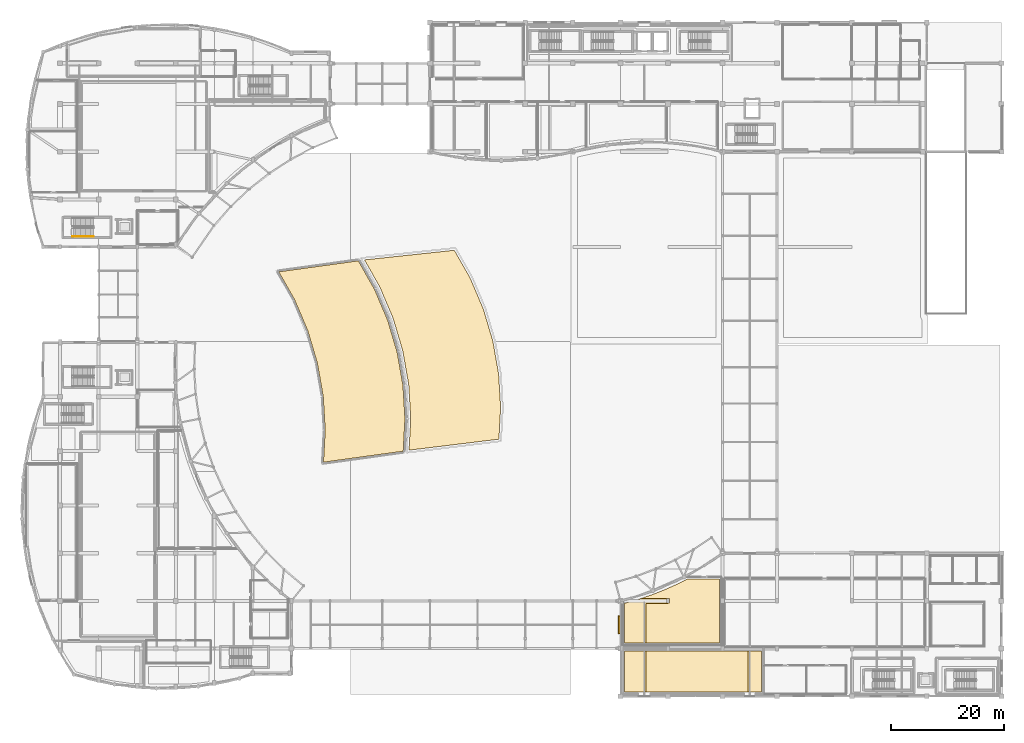
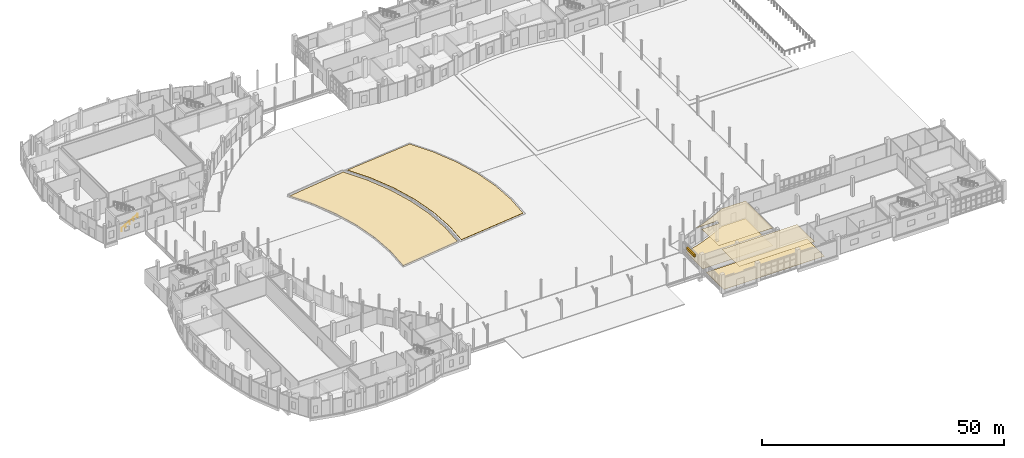
# One storey, part 84 of 97: 6 coverings, 1 railing, 1 shading device.
"""IFC4 building model written with IfcOpenShell, lengths in metres."""

from ifc_helpers import new_model, si_unit, direction, frame, origin, origin_2d, place, context, subcontext, project, spatial, polyline, rectangle, circle, outline, extrude, material, layer, layer_set, type_object, element, save


model = new_model("IFC4")

# Units and contexts
model_context = context("Model", 3, precision=1e-05, world=origin(), true_north=direction((0.0, 1.0)))
body_context = subcontext(model_context, "Body", "Model", "MODEL_VIEW")
ifc_project = project(units=[si_unit("LENGTHUNIT", "METRE"), si_unit("AREAUNIT", "SQUARE_METRE"), si_unit("VOLUMEUNIT", "CUBIC_METRE"), si_unit("PLANEANGLEUNIT", "RADIAN"), si_unit("MASSUNIT", "GRAM", prefix="KILO")], contexts=[model_context])

# Site, building, storey
site_placement = place(None, origin())
site = spatial("IfcSite", under=ifc_project, at=site_placement, CompositionType="ELEMENT")
building_placement = place(site_placement, origin())
building = spatial("IfcBuilding", under=site, at=building_placement, Name="Kisaragi Civic Commons", CompositionType="ELEMENT")
storey_placement = place(building_placement, origin())
storey = spatial("IfcBuildingStorey", under=building, at=storey_placement, Name="L00", CompositionType="ELEMENT", Elevation=0.0)

# Coverings
ifc_material_1 = material(Name="Perforated mineral-fibre & hinoki slat acoustic ceiling")
ifc_layer_1 = layer(ifc_material_1, 0.02490234375, Name="Perforated mineral-fibre & hinoki slat acoustic ceiling")
ifc_layer_set_1 = layer_set([ifc_layer_1], Name="Perforated mineral-fibre & hinoki slat acoustic ceiling")
covering_type_1 = type_object("IfcCoveringType", Name="CLG-02", PredefinedType="CEILING", material=ifc_layer_set_1)
covering_1_placement = place(storey_placement, frame((0.0, 0.0, 4.48291015625)))
element("IfcCovering", 1, at=covering_1_placement, inside=storey, type_object=covering_type_1, Name="Garden Tea Room acoustic ceiling", PredefinedType="CEILING", context=body_context, shape_type="SweptSolid", body=[
    extrude(outline(polyline([(109.6162109375, 17.353271484375), (109.31689453125, 17.260009765625), (114.0, 17.260009765625), (114.0, 17.205078125), (114.280029296875, 17.205078125), (114.280029296875, 16.39501953125), (114.0, 16.39501953125), (114.0, 16.340087890625), (110.110107421875, 16.340087890625), (110.110107421875, 9.35009765625), (123.050048828125, 9.35009765625), (123.050048828125, 20.64990234375), (117.37060546875, 20.64990234375), (117.076171875, 20.4912109375), (117.06201171875, 20.48388671875), (115.261474609375, 19.601318359375), (115.2470703125, 19.594482421875), (113.4140625, 18.78173828125), (113.3994140625, 18.775390625), (111.536376953125, 18.03369140625), (111.521484375, 18.028076171875), (109.63134765625, 17.3583984375), (109.6162109375, 17.353271484375)])), origin(), (0.0, 0.0, 1.0), 0.025146484375),
])
covering_2_placement = place(storey_placement, frame((0.0, 0.0, 4.48291015625)))
element("IfcCovering", 2, at=covering_2_placement, inside=storey, type_object=covering_type_1, Name="Commercial Kitchen acoustic ceiling", PredefinedType="CEILING", context=body_context, shape_type="SweptSolid", body=[
    extrude(outline(polyline([(110.110107421875, 0.75), (128.090087890625, 0.75), (128.090087890625, 7.93994140625), (123.60009765625, 7.93994140625), (123.60009765625, 7.949951171875), (114.0, 7.949951171875), (114.0, 7.93994140625), (110.110107421875, 7.93994140625), (110.110107421875, 0.75)])), origin(), (0.0, 0.0, 1.0), 0.025146484375),
])
ifc_material_2 = material(Name="Honed Mino ceramic tile & resilience acoustic flooring")
ifc_layer_2 = layer(ifc_material_2, 0.02001953125, Name="Honed Mino ceramic tile & resilience acoustic flooring")
ifc_layer_set_2 = layer_set([ifc_layer_2], Name="Honed Mino ceramic tile & resilience acoustic flooring")
covering_type_2 = type_object("IfcCoveringType", Name="FLR-01", PredefinedType="FLOORING", material=ifc_layer_set_2)
covering_3_placement = place(storey_placement, origin())
element("IfcCovering", 3, at=covering_3_placement, inside=storey, type_object=covering_type_2, Name="Garden Tea Room floor finish", PredefinedType="FLOORING", context=body_context, shape_type="SweptSolid", body=[
    extrude(outline(polyline([(106.35009765625, 9.35009765625), (123.050048828125, 9.35009765625), (123.050048828125, 20.64990234375), (117.37060546875, 20.64990234375), (117.076171875, 20.4912109375), (117.06201171875, 20.48388671875), (115.261474609375, 19.601318359375), (115.2470703125, 19.594482421875), (113.4140625, 18.78173828125), (113.3994140625, 18.775390625), (111.536376953125, 18.03369140625), (111.521484375, 18.028076171875), (109.63134765625, 17.3583984375), (109.6162109375, 17.353271484375), (107.70166015625, 16.756591796875), (107.686279296875, 16.752197265625), (106.35009765625, 16.391357421875), (106.35009765625, 9.35009765625)]), holes=[polyline([(114.280029296875, 16.39501953125), (113.719970703125, 16.39501953125), (113.719970703125, 17.205078125), (114.280029296875, 17.205078125), (114.280029296875, 16.39501953125)])]), origin(), (0.0, 0.0, 1.0), 0.02001953125),
])
ifc_layer_3 = layer(ifc_material_2, 0.01611328125, Name="Honed Mino ceramic tile & resilience acoustic flooring")
ifc_layer_set_3 = layer_set([ifc_layer_3], Name="Honed Mino ceramic tile & resilience acoustic flooring")
covering_type_3 = type_object("IfcCoveringType", Name="FLR-02", PredefinedType="FLOORING", material=ifc_layer_set_3)
covering_4_placement = place(storey_placement, origin())
element("IfcCovering", 4, at=covering_4_placement, inside=storey, type_object=covering_type_3, Name="Commercial Kitchen floor finish", PredefinedType="FLOORING", context=body_context, shape_type="SweptSolid", body=[
    extrude(outline(polyline([(130.449951171875, 7.949951171875), (106.35009765625, 7.949951171875), (106.35009765625, 0.75), (130.449951171875, 0.75), (130.449951171875, 7.949951171875)])), origin(), (0.0, 0.0, 1.0), 0.01611328125),
])
ifc_material_3 = material(Name="Reflecting pool water surface")
ifc_layer_4 = layer(ifc_material_3, 0.06005859375, Name="Reflecting pool water surface")
ifc_layer_set_4 = layer_set([ifc_layer_4], Name="Reflecting pool water surface")
covering_type_4 = type_object("IfcCoveringType", Name="FLR-04", PredefinedType="FLOORING", material=ifc_layer_set_4)
covering_5_placement = place(storey_placement, origin())
element("IfcCovering", 5, at=covering_5_placement, inside=storey, type_object=covering_type_4, Name="Civic reflecting pool water surface", PredefinedType="FLOORING", context=body_context, shape_type="SweptSolid", body=[
    extrude(outline(polyline([(48.12158203125, 69.94921875), (48.1328125, 69.926513671875), (50.456298828125, 64.466796875), (50.464599609375, 64.443115234375), (52.15087890625, 58.75439453125), (52.15673828125, 58.72998046875), (53.18408203125, 52.885986328125), (53.18701171875, 52.861083984375), (53.541748046875, 46.93798828125), (53.5419921875, 46.912841796875), (53.234130859375, 41.25439453125), (67.290283203125, 43.193115234375), (67.601806640625, 48.92431640625), (67.24853515625, 54.822021484375), (66.2255859375, 60.641357421875), (64.54638671875, 66.30615234375), (62.23291015625, 71.742919921875), (59.38232421875, 76.76171875), (45.3515625, 74.826416015625), (48.12158203125, 69.94921875)])), origin(), (0.0, 0.0, 1.0), 0.06005859375),
])

# Railing
ifc_material_4 = material(Name="Powder-coated architectural steel and hinoki cap rail", Category="steel")
railing_type = type_object("IfcRailingType", Name="HRL-01", PredefinedType="HANDRAIL", material=ifc_material_4)
railing_placement = place(storey_placement, frame((8.949951171875, 81.050048828125, 0.17138671875)))
element("IfcRailing", 6, at=railing_placement, inside=storey, type_object=railing_type, Name="L00 ST-S1 stair handrail 1", PredefinedType="HANDRAIL", context=body_context, shape_type="SweptSolid", body=[
    extrude(circle(Radius=0.02392578125, at=origin_2d()), frame((0.0, 0.0, 0.8759765625), z_axis=(0.860848830602, 0.0, 0.508860777473), x_axis=(0.0, 1.0, 0.0)), (0.0, 0.0, 1.0), 4.37939453125),
    extrude(circle(Radius=0.02099609375, at=origin_2d()), origin(), (0.0, 0.0, 1.0), 0.851806640625),
    extrude(circle(Radius=0.02099609375, at=origin_2d()), frame((0.9423828125, 0.0, 0.55712890625)), (0.0, 0.0, 1.0), 0.851806640625),
    extrude(circle(Radius=0.02099609375, at=origin_2d()), frame((1.885009765625, 0.0, 1.1142578125)), (0.0, 0.0, 1.0), 0.851806640625),
    extrude(circle(Radius=0.02099609375, at=origin_2d()), frame((2.82763671875, 0.0, 1.67138671875)), (0.0, 0.0, 1.0), 0.851806640625),
    extrude(circle(Radius=0.02099609375, at=origin_2d()), frame((3.77001953125, 0.0, 2.228515625)), (0.0, 0.0, 1.0), 0.851806640625),
])

# Covering
ifc_material_5 = material(Name="Extensive sedum planted roof assembly")
ifc_layer_5 = layer(ifc_material_5, 0.0849609375, Name="Extensive sedum planted roof assembly")
ifc_layer_set_5 = layer_set([ifc_layer_5], Name="Extensive sedum planted roof assembly")
covering_type_5 = type_object("IfcCoveringType", Name="RFG-02", PredefinedType="ROOFING", material=ifc_layer_set_5)
covering_6_placement = place(storey_placement, origin())
element("IfcCovering", 7, at=covering_6_placement, inside=storey, type_object=covering_type_5, Name="Central courtyard stone and sedum garden terrace", PredefinedType="ROOFING", context=body_context, shape_type="SweptSolid", body=[
    extrude(outline(polyline([(63.137939453125, 72.212890625), (63.155517578125, 72.177001953125), (65.499267578125, 66.670166015625), (65.5126953125, 66.632568359375), (67.213623046875, 60.894287109375), (67.222900390625, 60.85546875), (68.259033203125, 54.9609375), (68.263671875, 54.921142578125), (68.62158203125, 48.947021484375), (68.62158203125, 48.906982421875), (68.3212890625, 43.373779296875), (84.16650390625, 45.311767578125), (84.4716796875, 50.923828125), (84.119140625, 56.806884765625), (83.098876953125, 62.611572265625), (81.423828125, 68.26220703125), (79.1162109375, 73.68505859375), (76.30908203125, 78.627685546875), (60.458984375, 76.930908203125), (63.137939453125, 72.212890625)])), origin(), (0.0, 0.0, 1.0), 0.0849609375),
])

# Shading device
ifc_material_6 = material(Name="Extruded Tokoname terracotta sun-louvre blade", Category="masonry")
ifc_layer_6 = layer(ifc_material_6, 0.64990234375, Name="Extruded Tokoname terracotta sun-louvre blade", Category="masonry")
ifc_layer_set_6 = layer_set([ifc_layer_6], Name="Extruded Tokoname terracotta sun-louvre blade")
shading_device_type = type_object("IfcShadingDeviceType", Name="SHD-01", PredefinedType="JALOUSIE", material=ifc_layer_set_6)
shading_device_placement = place(storey_placement, frame((105.385009765625, 12.60009765625, 2.330078125), z_axis=(0.0, 0.0, 1.0), x_axis=(0.0, 1.0, 0.0)))
element("IfcShadingDevice", 8, at=shading_device_placement, inside=storey, type_object=shading_device_type, Name="V3 L00 terracotta sun-louvre 3", PredefinedType="JALOUSIE", context=body_context, shape_type="SweptSolid", body=[
    extrude(rectangle(XDim=3.199951171875, YDim=0.35009765625, at=origin_2d()), origin(), (0.0, 0.0, 1.0), 0.64990234375),
])

save(model, "model.ifc")
